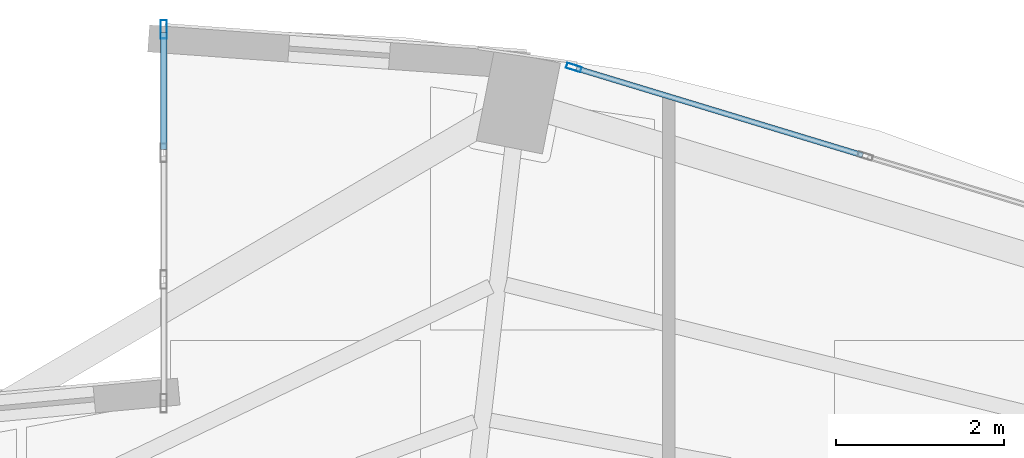
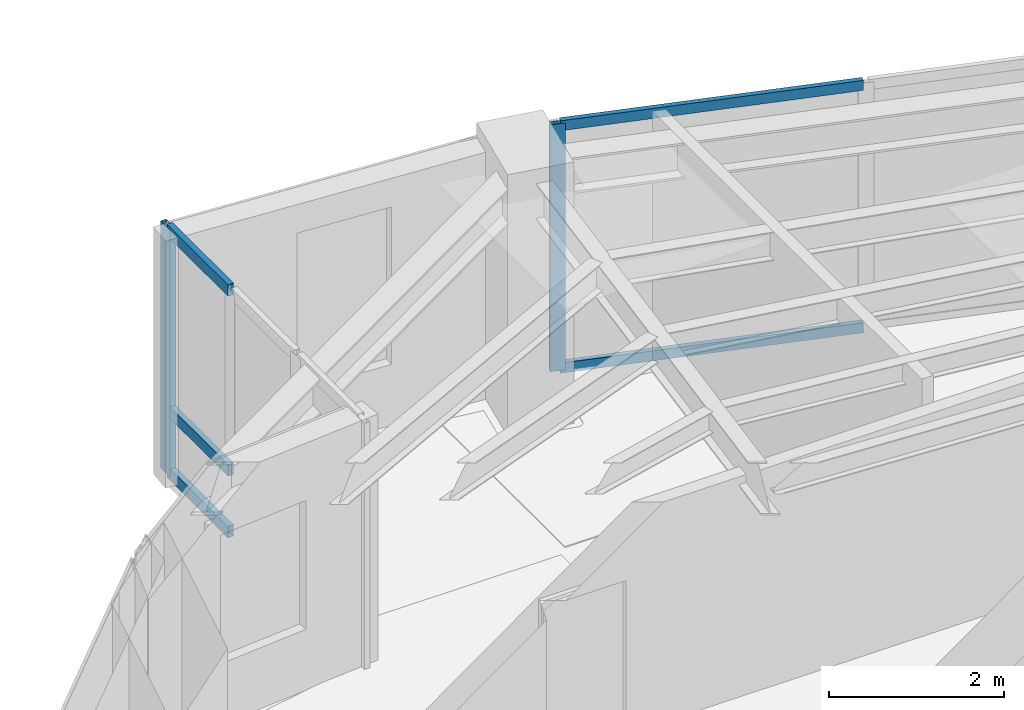
# One storey, part 9 of 15: 7 members, 2 elements without a shape of their own.
"""IFC4 building model written with IfcOpenShell, lengths in metres."""

from ifc_helpers import new_model, si_unit, direction, frame, origin, origin_2d, place, context, subcontext, project, spatial, hollow_rectangle, extrude, material, layer, layer_set, material_profile, profile_set, type_object, element, aggregate, save


model = new_model("IFC4")

# Units and contexts
model_context = context("Model", 3, precision=1e-05, world=origin(), true_north=direction((0.0, 1.0)))
body_context = subcontext(model_context, "Body", "Model", "MODEL_VIEW")
ifc_project = project(units=[si_unit("LENGTHUNIT", "METRE"), si_unit("AREAUNIT", "SQUARE_METRE"), si_unit("VOLUMEUNIT", "CUBIC_METRE"), si_unit("PLANEANGLEUNIT", "RADIAN"), si_unit("MASSUNIT", "GRAM", prefix="KILO")], contexts=[model_context])

# Site, building, storey
site_placement = place(None, origin())
site = spatial("IfcSite", under=ifc_project, at=site_placement, CompositionType="ELEMENT")
building_placement = place(site_placement, origin())
building = spatial("IfcBuilding", under=site, at=building_placement, Name="Lazwardi Medical Tower", CompositionType="ELEMENT")
storey_placement = place(building_placement, frame((0.0, 0.0, 284.2080078125)))
storey = spatial("IfcBuildingStorey", under=building, at=storey_placement, Name="L74", CompositionType="ELEMENT", Elevation=284.2080078125)

# Curtain wall, member
ifc_material_1 = material(Name="Anodised bronze aluminium and solar control glazing", Category="aluminium")
ifc_layer_1 = layer(ifc_material_1, 0.2099609375)
ifc_layer_set_1 = layer_set([ifc_layer_1], Name="Anodised bronze aluminium and solar control glazing")
curtain_wall_type_1 = type_object("IfcCurtainWallType", Name="CW-SYS-06", PredefinedType="NOTDEFINED", material=ifc_layer_set_1)
curtain_wall_1_placement = place(storey_placement, origin())
curtain_wall_1 = element("IfcCurtainWall", 1, at=curtain_wall_1_placement, inside=storey, type_object=curtain_wall_type_1, Name="L74 Unitised bronze curtain wall CW-06", PredefinedType="NOTDEFINED")
ifc_material_2 = material(Name="Anodised bronze aluminium", Category="aluminium")
ifc_material_profile_1 = material_profile(ifc_material_2, hollow_rectangle(XDim=0.074951171875, YDim=0.219970703125, WallThickness=0.00390625, at=origin_2d()), Name="ALU-MULLION 220x75x4")
ifc_profile_set_1 = profile_set([ifc_material_profile_1], Name="Anodised bronze aluminium")
member_type_1 = type_object("IfcMemberType", Name="CW-MUL-01", PredefinedType="MULLION", material=ifc_profile_set_1)
member_1_placement = place(storey_placement, frame((36.0, 45.46240234375, 0.0), z_axis=(0.0, 0.0, 1.0), x_axis=(1.0, 0.0, 0.0)))
member_1 = element("IfcMember", 2, at=member_1_placement, type_object=member_type_1, Name="CW-06 mullion 1", PredefinedType="MULLION", context=body_context, shape_type="SweptSolid", body=[
    extrude(hollow_rectangle(XDim=0.074951171875, YDim=0.219970703125, WallThickness=0.00390625, at=origin_2d()), origin(), (0.0, 0.0, 1.0), 3.447998046875),
])

ifc_layer_2 = layer(ifc_material_1, 0.18994140625)
ifc_layer_set_2 = layer_set([ifc_layer_2], Name="Anodised bronze aluminium and solar control glazing")
curtain_wall_type_2 = type_object("IfcCurtainWallType", Name="CW-SYS-04", PredefinedType="NOTDEFINED", material=ifc_layer_set_2)
curtain_wall_2_placement = place(storey_placement, origin())
curtain_wall_2 = element("IfcCurtainWall", 3, at=curtain_wall_2_placement, inside=storey, type_object=curtain_wall_type_2, Name="L74 Unitised bronze curtain wall CW-04", PredefinedType="NOTDEFINED")
ifc_material_profile_2 = material_profile(ifc_material_2, hollow_rectangle(XDim=0.06494140625, YDim=0.179931640625, WallThickness=0.00390625, at=origin_2d()), Name="ALU-MULLION 180x65x4")
ifc_profile_set_2 = profile_set([ifc_material_profile_2], Name="Anodised bronze aluminium")
member_type_2 = type_object("IfcMemberType", Name="CW-MUL-03", PredefinedType="MULLION", material=ifc_profile_set_2)
member_2_placement = place(storey_placement, frame((40.873046875, 45.007080078125, 0.0), z_axis=(0.0, 0.0, 1.0), x_axis=(-0.290581889515, -0.956850126972, 0.0)))
member_2 = element("IfcMember", 4, at=member_2_placement, type_object=member_type_2, Name="CW-04 mullion 3", PredefinedType="MULLION", context=body_context, shape_type="SweptSolid", body=[
    extrude(hollow_rectangle(XDim=0.06494140625, YDim=0.179931640625, WallThickness=0.00390625, at=origin_2d()), origin(), (0.0, 0.0, 1.0), 3.447998046875),
])

# Member
ifc_material_profile_3 = material_profile(ifc_material_2, hollow_rectangle(XDim=0.074951171875, YDim=0.159912109375, WallThickness=0.00390625, at=origin_2d()), Name="ALU-TRANSOM 160x75x4")
ifc_profile_set_3 = profile_set([ifc_material_profile_3], Name="Anodised bronze aluminium")
member_type_3 = type_object("IfcMemberType", Name="CW-TRN-01", PredefinedType="USERDEFINED", material=ifc_profile_set_3)
member_3_placement = place(storey_placement, frame((36.0, 45.425048828125, 0.03759765625), z_axis=(0.0, -1.0, 0.0), x_axis=(1.0, 0.0, 0.0)))
member_3 = element("IfcMember", 5, at=member_3_placement, type_object=member_type_3, Name="CW-06 transom 1.1", ObjectType="TRANSOM", PredefinedType="USERDEFINED", context=body_context, shape_type="SweptSolid", body=[
    extrude(hollow_rectangle(XDim=0.074951171875, YDim=0.159912109375, WallThickness=0.00390625, at=origin_2d()), origin(), (0.0, 0.0, 1.0), 1.394287109375),
])

member_4_placement = place(storey_placement, frame((36.0, 45.425048828125, 0.89990234375), z_axis=(0.0, -1.0, 0.0), x_axis=(1.0, 0.0, 0.0)))
member_4 = element("IfcMember", 6, at=member_4_placement, type_object=member_type_3, Name="CW-06 transom 1.2", ObjectType="TRANSOM", PredefinedType="USERDEFINED", context=body_context, shape_type="SweptSolid", body=[
    extrude(hollow_rectangle(XDim=0.074951171875, YDim=0.159912109375, WallThickness=0.00390625, at=origin_2d()), origin(), (0.0, 0.0, 1.0), 1.394287109375),
])

member_5_placement = place(storey_placement, frame((36.0, 45.425048828125, 3.410400390625), z_axis=(0.0, -1.0, 0.0), x_axis=(1.0, 0.0, 0.0)))
member_5 = element("IfcMember", 7, at=member_5_placement, type_object=member_type_3, Name="CW-06 transom 1.3", ObjectType="TRANSOM", PredefinedType="USERDEFINED", context=body_context, shape_type="SweptSolid", body=[
    extrude(hollow_rectangle(XDim=0.074951171875, YDim=0.159912109375, WallThickness=0.00390625, at=origin_2d()), origin(), (0.0, 0.0, 1.0), 1.394287109375),
])

aggregate(curtain_wall_1, [member_1, member_3, member_4, member_5])

ifc_material_profile_4 = material_profile(ifc_material_2, hollow_rectangle(XDim=0.06494140625, YDim=0.139892578125, WallThickness=0.00341796875, at=origin_2d()), Name="ALU-TRANSOM 140x65x3.5")
ifc_profile_set_4 = profile_set([ifc_material_profile_4], Name="Anodised bronze aluminium")
member_type_4 = type_object("IfcMemberType", Name="CW-TRN-03", PredefinedType="USERDEFINED", material=ifc_profile_set_4)
member_6_placement = place(storey_placement, frame((44.305419921875, 43.96484375, 0.032470703125), z_axis=(-0.956862505902, 0.290541124109, 0.0), x_axis=(-0.290541124109, -0.956862505902, 0.0)))
member_6 = element("IfcMember", 8, at=member_6_placement, type_object=member_type_4, Name="CW-04 transom 2.1", ObjectType="TRANSOM", PredefinedType="USERDEFINED", context=body_context, shape_type="SweptSolid", body=[
    extrude(hollow_rectangle(XDim=0.06494140625, YDim=0.139892578125, WallThickness=0.00341796875, at=origin_2d()), origin(), (0.0, 0.0, 1.0), 3.554443359375),
])

member_7_placement = place(storey_placement, frame((44.305419921875, 43.96484375, 3.41552734375), z_axis=(-0.956862505902, 0.290541124109, 0.0), x_axis=(-0.290541124109, -0.956862505902, 0.0)))
member_7 = element("IfcMember", 9, at=member_7_placement, type_object=member_type_4, Name="CW-04 transom 2.2", ObjectType="TRANSOM", PredefinedType="USERDEFINED", context=body_context, shape_type="SweptSolid", body=[
    extrude(hollow_rectangle(XDim=0.06494140625, YDim=0.139892578125, WallThickness=0.00341796875, at=origin_2d()), origin(), (0.0, 0.0, 1.0), 3.554443359375),
])

aggregate(curtain_wall_2, [member_2, member_6, member_7])

save(model, "model.ifc")
